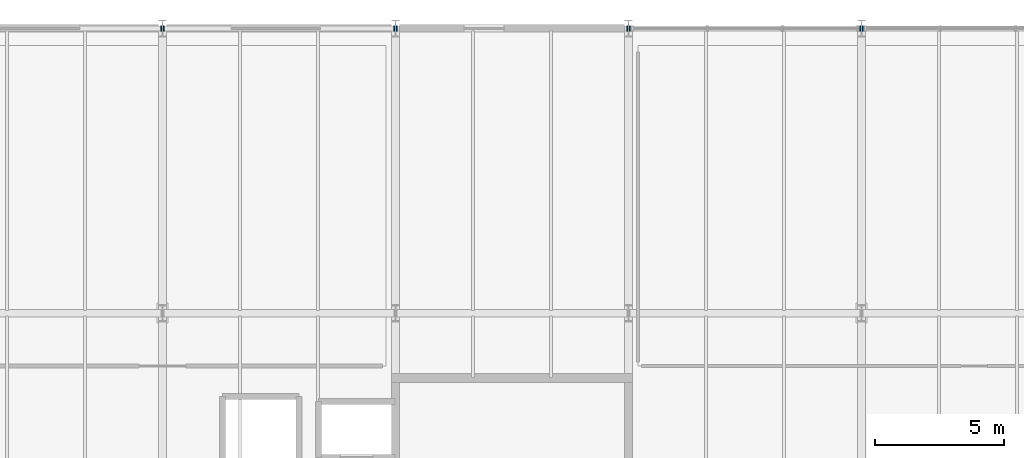
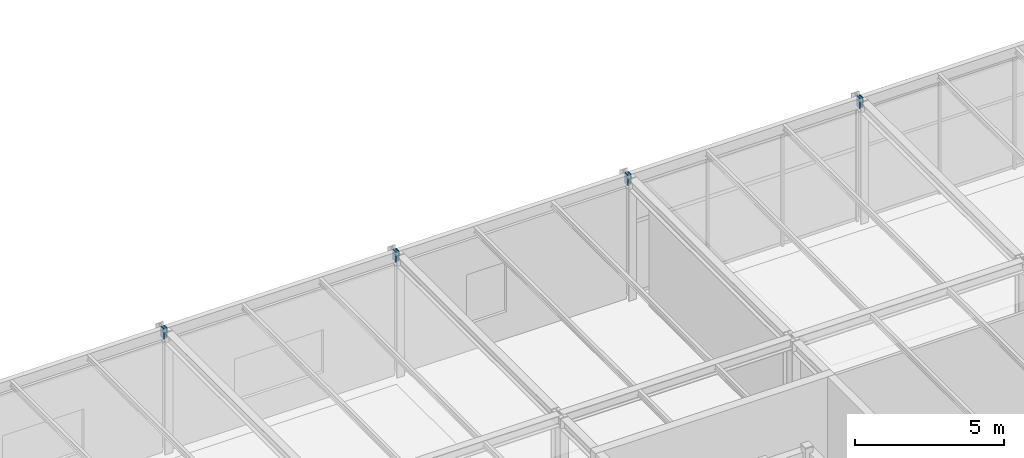
# One storey, part 167 of 195: 8 discrete accessories.
"""IFC4 building model written with IfcOpenShell, lengths in metres."""

from ifc_helpers import new_model, si_unit, direction, frame, origin, origin_2d, place, context, subcontext, project, spatial, rectangle, extrude, material, element, save


model = new_model("IFC4")

# Units and contexts
model_context = context("Model", 3, precision=1e-05, world=origin(), true_north=direction((0.0, 1.0)))
body_context = subcontext(model_context, "Body", "Model", "MODEL_VIEW")
ifc_project = project(units=[si_unit("LENGTHUNIT", "METRE"), si_unit("AREAUNIT", "SQUARE_METRE"), si_unit("VOLUMEUNIT", "CUBIC_METRE"), si_unit("PLANEANGLEUNIT", "RADIAN"), si_unit("MASSUNIT", "GRAM", prefix="KILO")], contexts=[model_context])

# Site, building, storey
site_placement = place(None, origin())
site = spatial("IfcSite", under=ifc_project, at=site_placement, CompositionType="ELEMENT")
building_placement = place(site_placement, origin())
building = spatial("IfcBuilding", under=site, at=building_placement, Name="Marlcrest Central Station", CompositionType="ELEMENT")
storey_placement = place(building_placement, frame((0.0, 0.0, 9.800048828125)))
storey = spatial("IfcBuildingStorey", under=building, at=storey_placement, Name="L02", CompositionType="ELEMENT", Elevation=9.800048828125)

# Discrete accessories
ifc_material = material(Name="Steel S355", Category="steel")
for number, where, z_axis, x_axis, name in (
    (1, (35.925048828125, 132.0, 4.800048828125), (1.0, 0.0, 0.0), (0.0, 1.0, 0.0), "endcap-bm-SP-01-L02-00378-e"),
    (2, (36.03515625, 132.0, 4.800048828125), (1.0, 0.0, 0.0), (0.0, 1.0, 0.0), "endcap-bm-SP-01-L02-00379-s"),
    (3, (44.925048828125, 132.0, 4.800048828125), (1.0, 0.0, 0.0), (0.0, 1.0, 0.0), "endcap-bm-SP-01-L02-00379-e"),
    (4, (45.03515625, 132.0, 4.800048828125), (1.0, 0.0, 0.0), (0.0, 1.0, 0.0), "endcap-bm-SP-01-L02-00380-s"),
    (5, (53.925048828125, 132.0, 4.800048828125), (1.0, 0.0, 0.0), (0.0, 1.0, 0.0), "endcap-bm-SP-01-L02-00380-e"),
    (6, (54.03515625, 132.0, 4.800048828125), (1.0, 0.0, 0.0), (0.0, 1.0, 0.0), "endcap-bm-SP-01-L02-00381-s"),
    (7, (62.925048828125, 132.0, 4.800048828125), (1.0, 0.0, 0.0), (0.0, 1.0, 0.0), "endcap-bm-SP-01-L02-00381-e"),
    (8, (63.03515625, 132.0, 4.800048828125), (1.0, 0.0, 0.0), (0.0, 1.0, 0.0), "endcap-bm-SP-01-L02-00382-s"),
):
    element("IfcDiscreteAccessory", number, at=place(storey_placement, frame(where, z_axis=z_axis, x_axis=x_axis)), inside=storey, material=ifc_material, Name=name, ObjectType="END_CAP_PLATE", PredefinedType="BRACKET", context=body_context, shape_type="SweptSolid", body=[
        extrude(rectangle(XDim=0.216064453125, YDim=0.416015625, at=origin_2d()), origin(), (0.0, 0.0, 1.0), 0.0400390625),
    ])

save(model, "model.ifc")
